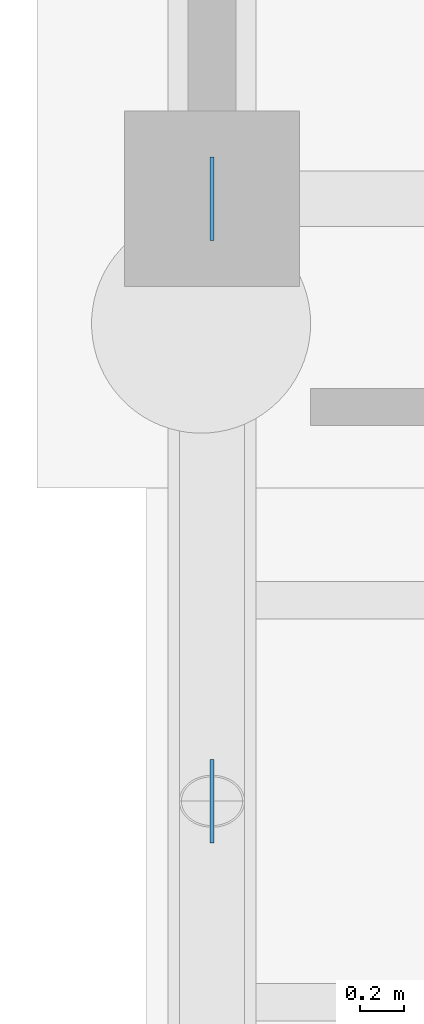
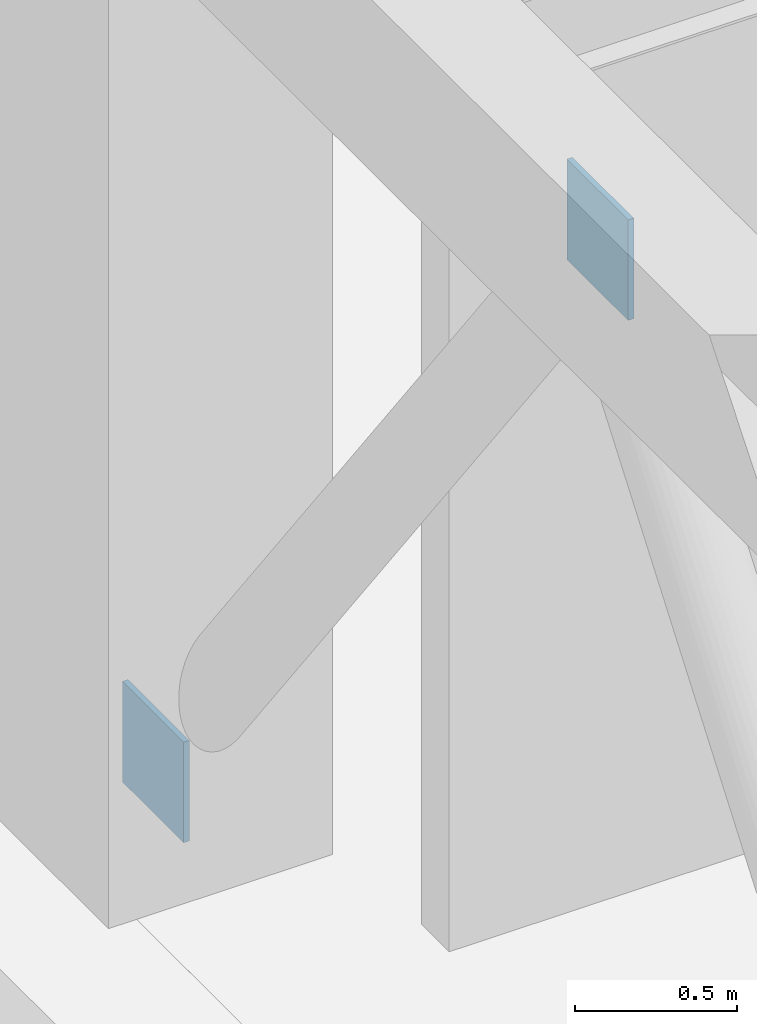
# One storey, part 26 of 41: 2 plates.
"""IFC4 building model written with IfcOpenShell, lengths in metres."""

from ifc_helpers import new_model, si_unit, direction, frame, origin, origin_2d, place, context, subcontext, project, spatial, rectangle, extrude, material, layer, layer_set, type_object, element, save


model = new_model("IFC4")

# Units and contexts
model_context = context("Model", 3, precision=1e-05, world=origin(), true_north=direction((0.0, 1.0)))
body_context = subcontext(model_context, "Body", "Model", "MODEL_VIEW")
ifc_project = project(units=[si_unit("LENGTHUNIT", "METRE"), si_unit("AREAUNIT", "SQUARE_METRE"), si_unit("VOLUMEUNIT", "CUBIC_METRE"), si_unit("PLANEANGLEUNIT", "RADIAN"), si_unit("MASSUNIT", "GRAM", prefix="KILO")], contexts=[model_context])

# Site, building, storey
site_placement = place(None, origin())
site = spatial("IfcSite", under=ifc_project, at=site_placement, CompositionType="ELEMENT")
building_placement = place(site_placement, origin())
building = spatial("IfcBuilding", under=site, at=building_placement, Name="Candilejo Ridge Gondola Terminal", CompositionType="ELEMENT")
storey_placement = place(building_placement, origin())
storey = spatial("IfcBuildingStorey", under=building, at=storey_placement, Name="L00", CompositionType="ELEMENT", Elevation=0.0)

# Plates
ifc_material = material(Name="Steel ASTM A572 Grade 50", Category="steel")
ifc_layer = layer(ifc_material, 0.02001953125)
ifc_layer_set = layer_set([ifc_layer], Name="STR-NODE-PLATE-380X380X20")
plate_type = type_object("IfcPlateType", Name="STR-NODE-PLATE-380X380X20", PredefinedType="USERDEFINED", material=ifc_layer_set)
for number, where, z_axis, x_axis, name in (
    (1, (133.89990234375, 39.449951171875, 3.699951171875), (0.0, 0.0, 1.0), (1.0, 0.0, 0.0), "Chevron gusset plate 214"),
    (2, (133.89990234375, 42.199951171875, 0.06005859375), (0.0, 0.0, 1.0), (1.0, 0.0, 0.0), "Chevron gusset plate 216"),
):
    element("IfcPlate", number, at=place(storey_placement, frame(where, z_axis=z_axis, x_axis=x_axis)), inside=storey, type_object=plate_type, Name=name, ObjectType="NODE PLATE", PredefinedType="USERDEFINED", context=body_context, shape_type="SweptSolid", body=[
        extrude(rectangle(XDim=0.02001953125, YDim=0.3798828125, at=origin_2d()), origin(), (0.0, 0.0, 1.0), 0.3798828125),
    ])

save(model, "model.ifc")
